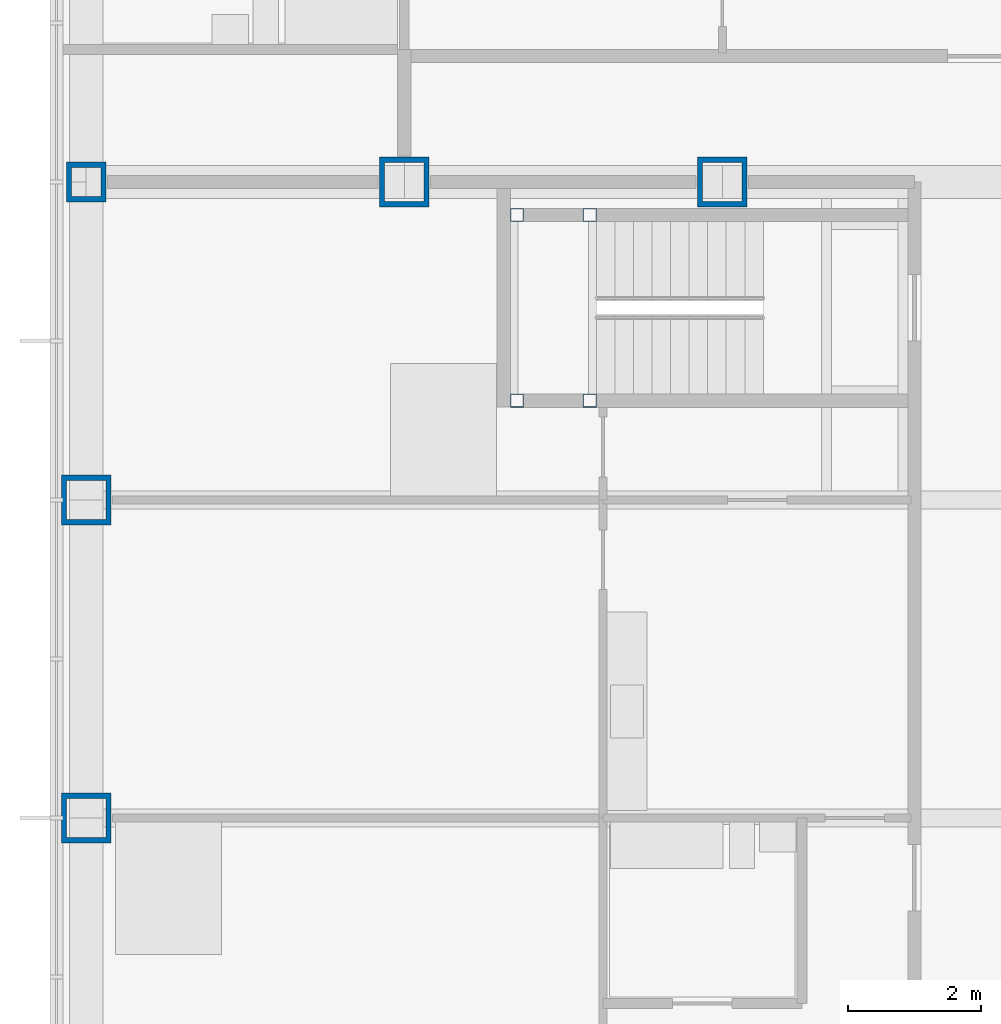
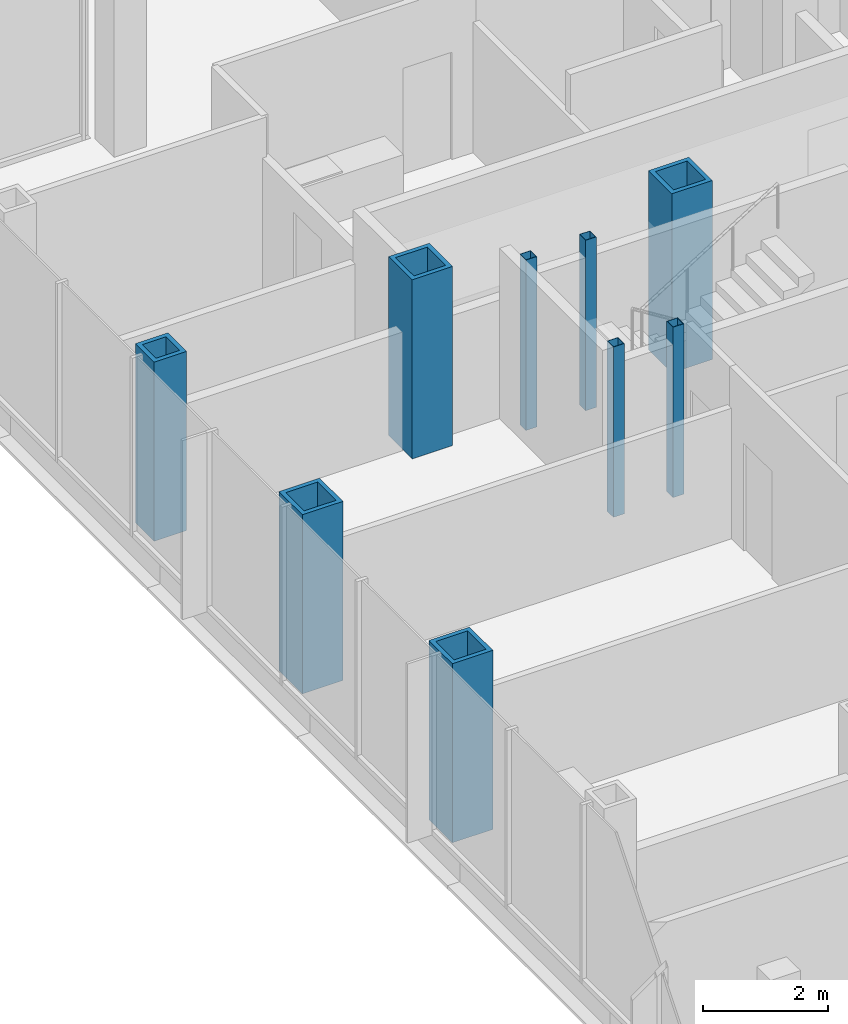
# One storey, part 3 of 21: 9 columns.
"""IFC4 building model written with IfcOpenShell, lengths in metres."""

from ifc_helpers import new_model, si_unit, direction, frame, origin, origin_2d, place, context, subcontext, project, spatial, hollow_rectangle, extrude, material, material_profile, profile_set, type_object, element, save


model = new_model("IFC4")

# Units and contexts
model_context = context("Model", 3, precision=1e-05, world=origin(), true_north=direction((0.0, 1.0)))
body_context = subcontext(model_context, "Body", "Model", "MODEL_VIEW")
ifc_project = project(units=[si_unit("LENGTHUNIT", "METRE"), si_unit("AREAUNIT", "SQUARE_METRE"), si_unit("VOLUMEUNIT", "CUBIC_METRE"), si_unit("PLANEANGLEUNIT", "RADIAN"), si_unit("MASSUNIT", "GRAM", prefix="KILO")], contexts=[model_context])

# Site, building, storey
site_placement = place(None, origin())
site = spatial("IfcSite", under=ifc_project, at=site_placement, CompositionType="ELEMENT")
building_placement = place(site_placement, origin())
building = spatial("IfcBuilding", under=site, at=building_placement, Name="Kvirike Care Tower", CompositionType="ELEMENT")
storey_placement = place(building_placement, frame((0.0, 0.0, 62.0)))
storey = spatial("IfcBuildingStorey", under=building, at=storey_placement, Name="L16", CompositionType="ELEMENT", Elevation=62.0)

# Columns
ifc_material_1 = material(Name="Steel S460", Category="steel")
ifc_material_profile_1 = material_profile(ifc_material_1, hollow_rectangle(XDim=0.60009765625, YDim=0.60009765625, WallThickness=0.080078125, at=origin_2d()), Name="BX 600x600x80")
ifc_profile_set_1 = profile_set([ifc_material_profile_1], Name="Steel S460")
column_type_1 = type_object("IfcColumnType", Name="COLUMN BX 600x600x80", PredefinedType="COLUMN", material=ifc_profile_set_1)
column_placement = place(storey_placement, frame((0.0, 43.199951171875, 0.0), z_axis=(0.0, 0.0, 1.0), x_axis=(0.0, 1.0, 0.0)))
element("IfcColumn", 1, at=column_placement, inside=storey, type_object=column_type_1, Name="Column K3 L16", PredefinedType="COLUMN", context=body_context, shape_type="SweptSolid", body=[
    extrude(hollow_rectangle(XDim=0.60009765625, YDim=0.60009765625, WallThickness=0.080078125, at=origin_2d()), origin(), (0.0, 0.0, 1.0), 3.5),
])
ifc_material_2 = material(Name="Steel S460", Category="steel")
ifc_material_profile_2 = material_profile(ifc_material_2, hollow_rectangle(XDim=0.75, YDim=0.75, WallThickness=0.080078125, at=origin_2d()), Name="BX 750x750x80")
ifc_profile_set_2 = profile_set([ifc_material_profile_2], Name="Steel S460")
column_type_2 = type_object("IfcColumnType", Name="COLUMN BX 750x750x80", PredefinedType="COLUMN", material=ifc_profile_set_2)
for number, where, z_axis, x_axis, name in (
    (2, (0.0, 33.60009765625, 0.0), (0.0, 0.0, 1.0), (1.0, 0.0, 0.0), "Column H3 L16"),
    (3, (0.0, 38.39990234375, 0.0), (0.0, 0.0, 1.0), (1.0, 0.0, 0.0), "Column J3 L16"),
    (4, (4.800048828125, 43.199951171875, 0.0), (0.0, 0.0, 1.0), (0.0, 1.0, 0.0), "Column K4 L16"),
    (5, (9.60009765625, 43.199951171875, 0.0), (0.0, 0.0, 1.0), (0.0, 1.0, 0.0), "Column K5 L16"),
):
    element("IfcColumn", number, at=place(storey_placement, frame(where, z_axis=z_axis, x_axis=x_axis)), inside=storey, type_object=column_type_2, Name=name, PredefinedType="COLUMN", context=body_context, shape_type="SweptSolid", body=[
        extrude(hollow_rectangle(XDim=0.75, YDim=0.75, WallThickness=0.080078125, at=origin_2d()), origin(), (0.0, 0.0, 1.0), 3.5),
    ])
ifc_material_3 = material(Name="Steel S460", Category="steel")
ifc_material_profile_3 = material_profile(ifc_material_3, hollow_rectangle(XDim=0.199951171875, YDim=0.199951171875, WallThickness=0.008056640625, at=origin_2d()), Name="SHS 200x200x8")
ifc_profile_set_3 = profile_set([ifc_material_profile_3], Name="Steel S460")
column_type_3 = type_object("IfcColumnType", Name="STAIR POST SHS 200x200x8", PredefinedType="COLUMN", material=ifc_profile_set_3)
for number, where, z_axis, x_axis, name in (
    (6, (6.5, 42.699951171875, 0.0), (0.0, 0.0, 1.0), (1.0, 0.0, 0.0), "Stair 1 post 1 L16"),
    (7, (6.5, 39.89990234375, 0.0), (0.0, 0.0, 1.0), (1.0, 0.0, 0.0), "Stair 1 post 2 L16"),
    (8, (7.60009765625, 42.699951171875, 0.0), (0.0, 0.0, 1.0), (1.0, 0.0, 0.0), "Stair 1 post 3 L16"),
    (9, (7.60009765625, 39.89990234375, 0.0), (0.0, 0.0, 1.0), (1.0, 0.0, 0.0), "Stair 1 post 4 L16"),
):
    element("IfcColumn", number, at=place(storey_placement, frame(where, z_axis=z_axis, x_axis=x_axis)), inside=storey, type_object=column_type_3, Name=name, PredefinedType="COLUMN", context=body_context, shape_type="SweptSolid", body=[
        extrude(hollow_rectangle(XDim=0.199951171875, YDim=0.199951171875, WallThickness=0.008056640625, at=origin_2d()), origin(), (0.0, 0.0, 1.0), 3.330078125),
    ])

save(model, "model.ifc")
